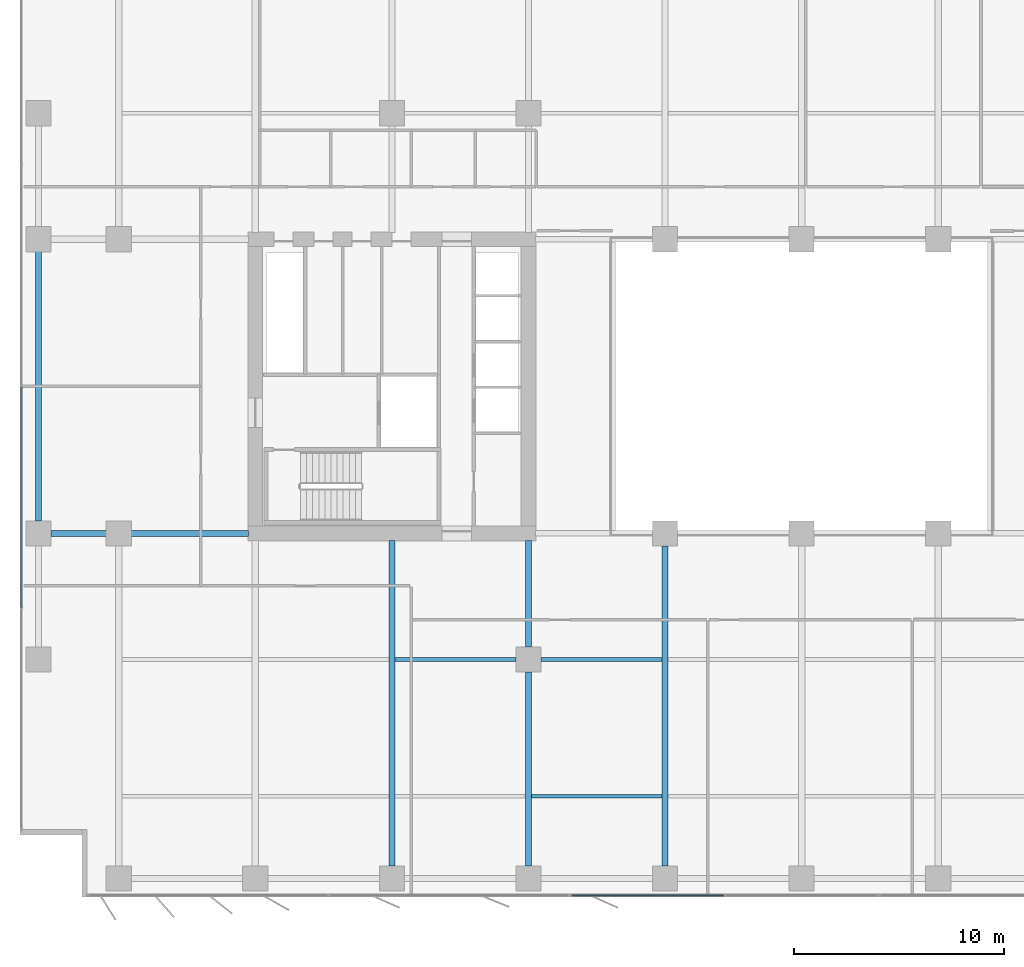
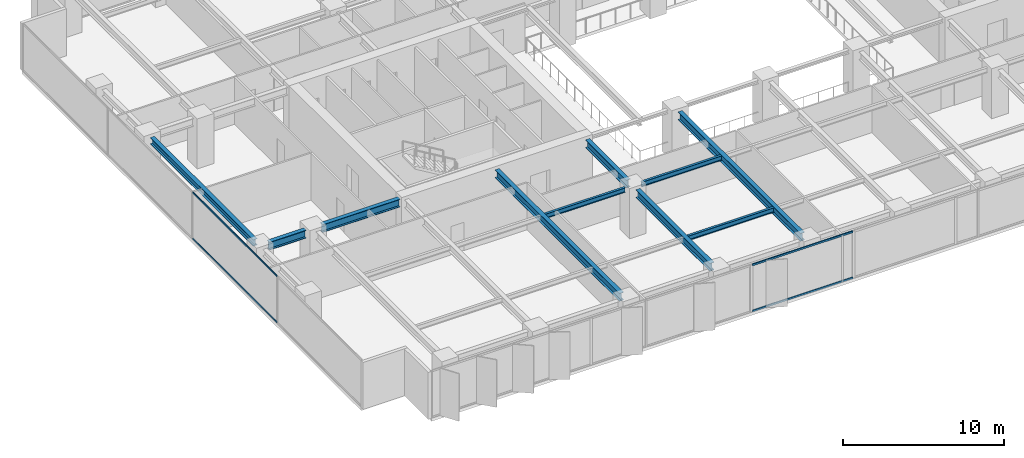
# One storey, part 3 of 20: 10 beams, 4 members, 2 elements without a shape of their own.
"""IFC4 building model written with IfcOpenShell, lengths in metres."""

from ifc_helpers import new_model, si_unit, direction, frame, origin, origin_2d, place, context, subcontext, project, spatial, rectangle, i_section, extrude, material, layer, layer_set, material_profile, profile_set, type_object, element, aggregate, save


model = new_model("IFC4")

# Units and contexts
model_context = context("Model", 3, precision=1e-05, world=origin(), true_north=direction((0.0, 1.0)))
body_context = subcontext(model_context, "Body", "Model", "MODEL_VIEW")
ifc_project = project(units=[si_unit("LENGTHUNIT", "METRE"), si_unit("AREAUNIT", "SQUARE_METRE"), si_unit("VOLUMEUNIT", "CUBIC_METRE"), si_unit("PLANEANGLEUNIT", "RADIAN"), si_unit("MASSUNIT", "GRAM", prefix="KILO")], contexts=[model_context])

# Site, building, storey
site_placement = place(None, origin())
site = spatial("IfcSite", under=ifc_project, at=site_placement, CompositionType="ELEMENT")
building_placement = place(site_placement, origin())
building = spatial("IfcBuilding", under=site, at=building_placement, Name="Putna Gate Headquarters", CompositionType="ELEMENT")
storey_placement = place(building_placement, frame((0.0, 0.0, 112.60009765625)))
storey = spatial("IfcBuildingStorey", under=building, at=storey_placement, Name="L27", CompositionType="ELEMENT", Elevation=112.60009765625)

# Beams
ifc_material_1 = material(Name="Steel S355J2", Category="steel")
ifc_material_profile_1 = material_profile(ifc_material_1, i_section(OverallWidth=0.300048828125, OverallDepth=0.60009765625, WebThickness=0.015380859375, FlangeThickness=0.030029296875, at=origin_2d()), Name="Steel S355J2")
ifc_profile_set_1 = profile_set([ifc_material_profile_1], Name="Steel S355J2")
beam_type_1 = type_object("IfcBeamType", Name="BM-GIRD-Z2-HEB600", PredefinedType="USERDEFINED", material=ifc_profile_set_1)
beam_1_placement = place(storey_placement, frame((3.26806640625, 19.0, 3.264892578125), z_axis=(1.0, 0.0, 0.0), x_axis=(0.0, 1.0, 0.0)))
element("IfcBeam", 1, at=beam_1_placement, inside=storey, type_object=beam_type_1, Name="L27 West Wing Girder Y19-1", ObjectType="GIRDER", PredefinedType="USERDEFINED", context=body_context, shape_type="SweptSolid", body=[
    extrude(i_section(OverallWidth=0.300048828125, OverallDepth=0.60009765625, WebThickness=0.015380859375, FlangeThickness=0.030029296875, at=origin_2d()), origin(), (0.0, 0.0, 1.0), 2.64404296875),
])
beam_2_placement = place(storey_placement, frame((7.087890625, 19.0, 3.264892578125), z_axis=(1.0, 0.0, 0.0), x_axis=(0.0, 1.0, 0.0)))
element("IfcBeam", 2, at=beam_2_placement, inside=storey, type_object=beam_type_1, Name="L27 West Wing Girder Y19-2", ObjectType="GIRDER", PredefinedType="USERDEFINED", context=body_context, shape_type="SweptSolid", body=[
    extrude(i_section(OverallWidth=0.300048828125, OverallDepth=0.60009765625, WebThickness=0.015380859375, FlangeThickness=0.030029296875, at=origin_2d()), origin(), (0.0, 0.0, 1.0), 5.5771484375),
])
beam_3_placement = place(storey_placement, frame((19.5, 3.16796875, 3.264892578125), z_axis=(0.0, 1.0, 0.0), x_axis=(-1.0, 0.0, 0.0)))
element("IfcBeam", 3, at=beam_3_placement, inside=storey, type_object=beam_type_1, Name="L27 South Primary Girder X19", ObjectType="GIRDER", PredefinedType="USERDEFINED", context=body_context, shape_type="SweptSolid", body=[
    extrude(i_section(OverallWidth=0.300048828125, OverallDepth=0.60009765625, WebThickness=0.015380859375, FlangeThickness=0.030029296875, at=origin_2d()), origin(), (0.0, 0.0, 1.0), 15.4970703125),
])
beam_4_placement = place(storey_placement, frame((26.0, 3.16796875, 3.264892578125), z_axis=(0.0, 1.0, 0.0), x_axis=(-1.0, 0.0, 0.0)))
element("IfcBeam", 4, at=beam_4_placement, inside=storey, type_object=beam_type_1, Name="L27 South Primary Girder X26-1", ObjectType="GIRDER", PredefinedType="USERDEFINED", context=body_context, shape_type="SweptSolid", body=[
    extrude(i_section(OverallWidth=0.300048828125, OverallDepth=0.60009765625, WebThickness=0.015380859375, FlangeThickness=0.030029296875, at=origin_2d()), origin(), (0.0, 0.0, 1.0), 9.244140625),
])
beam_5_placement = place(storey_placement, frame((26.0, 13.587890625, 3.264892578125), z_axis=(0.0, 1.0, 0.0), x_axis=(-1.0, 0.0, 0.0)))
element("IfcBeam", 5, at=beam_5_placement, inside=storey, type_object=beam_type_1, Name="L27 South Primary Girder X26-2", ObjectType="GIRDER", PredefinedType="USERDEFINED", context=body_context, shape_type="SweptSolid", body=[
    extrude(i_section(OverallWidth=0.300048828125, OverallDepth=0.60009765625, WebThickness=0.015380859375, FlangeThickness=0.030029296875, at=origin_2d()), origin(), (0.0, 0.0, 1.0), 5.0771484375),
])
beam_6_placement = place(storey_placement, frame((32.5, 3.16796875, 3.264892578125), z_axis=(0.0, 1.0, 0.0), x_axis=(-1.0, 0.0, 0.0)))
element("IfcBeam", 6, at=beam_6_placement, inside=storey, type_object=beam_type_1, Name="L27 South Primary Girder X32", ObjectType="GIRDER", PredefinedType="USERDEFINED", context=body_context, shape_type="SweptSolid", body=[
    extrude(i_section(OverallWidth=0.300048828125, OverallDepth=0.60009765625, WebThickness=0.015380859375, FlangeThickness=0.030029296875, at=origin_2d()), origin(), (0.0, 0.0, 1.0), 15.244140625),
])
ifc_material_profile_2 = material_profile(ifc_material_1, i_section(OverallWidth=0.169921875, OverallDepth=0.360107421875, WebThickness=0.008056640625, FlangeThickness=0.0126953125, at=origin_2d()), Name="Steel S355J2")
ifc_profile_set_2 = profile_set([ifc_material_profile_2], Name="Steel S355J2")
beam_type_2 = type_object("IfcBeamType", Name="BM-SEC-Z2-IPE360", PredefinedType="BEAM", material=ifc_profile_set_2)
beam_7_placement = place(storey_placement, frame((19.654052734375, 13.0, 3.385009765625), z_axis=(1.0, 0.0, 0.0), x_axis=(0.0, 1.0, 0.0)))
element("IfcBeam", 7, at=beam_7_placement, inside=storey, type_object=beam_type_2, Name="L27 South Secondary Beam 3", PredefinedType="BEAM", context=body_context, shape_type="SweptSolid", body=[
    extrude(i_section(OverallWidth=0.169921875, OverallDepth=0.360107421875, WebThickness=0.008056640625, FlangeThickness=0.0126953125, at=origin_2d()), origin(), (0.0, 0.0, 1.0), 5.758056640625),
])
beam_8_placement = place(storey_placement, frame((26.154052734375, 6.5, 3.385009765625), z_axis=(1.0, 0.0, 0.0), x_axis=(0.0, 1.0, 0.0)))
element("IfcBeam", 8, at=beam_8_placement, inside=storey, type_object=beam_type_2, Name="L27 South Secondary Beam 4", PredefinedType="BEAM", context=body_context, shape_type="SweptSolid", body=[
    extrude(i_section(OverallWidth=0.169921875, OverallDepth=0.360107421875, WebThickness=0.008056640625, FlangeThickness=0.0126953125, at=origin_2d()), origin(), (0.0, 0.0, 1.0), 6.19189453125),
])
beam_9_placement = place(storey_placement, frame((26.587890625, 13.0, 3.385009765625), z_axis=(1.0, 0.0, 0.0), x_axis=(0.0, 1.0, 0.0)))
element("IfcBeam", 9, at=beam_9_placement, inside=storey, type_object=beam_type_2, Name="L27 South Secondary Beam 4", PredefinedType="BEAM", context=body_context, shape_type="SweptSolid", body=[
    extrude(i_section(OverallWidth=0.169921875, OverallDepth=0.360107421875, WebThickness=0.008056640625, FlangeThickness=0.0126953125, at=origin_2d()), origin(), (0.0, 0.0, 1.0), 5.758056640625),
])
ifc_material_profile_3 = material_profile(ifc_material_1, i_section(OverallWidth=0.300048828125, OverallDepth=0.489990234375, WebThickness=0.011962890625, FlangeThickness=0.02294921875, at=origin_2d()), Name="Steel S355J2")
ifc_profile_set_3 = profile_set([ifc_material_profile_3], Name="Steel S355J2")
beam_type_3 = type_object("IfcBeamType", Name="BM-SPAN-Z2-HEA500", PredefinedType="SPANDREL", material=ifc_profile_set_3)
beam_10_placement = place(storey_placement, frame((2.679931640625, 19.587890625, 3.31982421875), z_axis=(0.0, 1.0, 0.0), x_axis=(-1.0, 0.0, 0.0)))
element("IfcBeam", 10, at=beam_10_placement, inside=storey, type_object=beam_type_3, Name="L27 W End Spandrel 2", PredefinedType="SPANDREL", context=body_context, shape_type="SweptSolid", body=[
    extrude(i_section(OverallWidth=0.300048828125, OverallDepth=0.489990234375, WebThickness=0.011962890625, FlangeThickness=0.02294921875, at=origin_2d()), origin(), (0.0, 0.0, 1.0), 12.82421875),
])

# Curtain wall, members
ifc_material_2 = material(Name="Anodised bronze aluminium curtain wall", Category="aluminium")
ifc_layer_1 = layer(ifc_material_2, 0.159912109375)
ifc_layer_set_1 = layer_set([ifc_layer_1], Name="Anodised bronze aluminium curtain wall")
curtain_wall_type_1 = type_object("IfcCurtainWallType", Name="CW-SYS-Z2", PredefinedType="USERDEFINED", material=ifc_layer_set_1)
curtain_wall_1_placement = place(storey_placement, origin())
curtain_wall_1 = element("IfcCurtainWall", 11, at=curtain_wall_1_placement, inside=storey, type_object=curtain_wall_type_1, Name="L27 West Curtain Wall", ObjectType="STICK CURTAIN WALL", PredefinedType="USERDEFINED")
ifc_material_3 = material(Name="Anodised bronze aluminium EN AW-6060", Category="aluminium")
ifc_material_profile_4 = material_profile(ifc_material_3, rectangle(XDim=0.06494140625, YDim=0.1201171875, at=origin_2d()), Name="Anodised bronze aluminium EN AW-6060")
ifc_profile_set_4 = profile_set([ifc_material_profile_4], Name="Anodised bronze aluminium EN AW-6060")
member_type_1 = type_object("IfcMemberType", Name="TRAN-CWT-2", PredefinedType="USERDEFINED", material=ifc_profile_set_4)
member_1_placement = place(storey_placement, frame((1.8798828125, 15.482421875, 0.032470703125), z_axis=(0.0, 1.0, 0.0), x_axis=(-1.0, 0.0, 0.0)))
member_1 = element("IfcMember", 12, at=member_1_placement, type_object=member_type_1, Name="CWS-2 transom 2.1", ObjectType="TRANSOM", PredefinedType="USERDEFINED", context=body_context, shape_type="SweptSolid", body=[
    extrude(rectangle(XDim=0.06494140625, YDim=0.1201171875, at=origin_2d()), origin(), (0.0, 0.0, 1.0), 10.485107421875),
])
member_2_placement = place(storey_placement, frame((1.8798828125, 15.482421875, 3.532470703125), z_axis=(0.0, 1.0, 0.0), x_axis=(-1.0, 0.0, 0.0)))
member_2 = element("IfcMember", 13, at=member_2_placement, type_object=member_type_1, Name="CWS-2 transom 2.2", ObjectType="TRANSOM", PredefinedType="USERDEFINED", context=body_context, shape_type="SweptSolid", body=[
    extrude(rectangle(XDim=0.06494140625, YDim=0.1201171875, at=origin_2d()), origin(), (0.0, 0.0, 1.0), 10.485107421875),
])
aggregate(curtain_wall_1, [member_1, member_2])

ifc_layer_2 = layer(ifc_material_2, 0.179931640625)
ifc_layer_set_2 = layer_set([ifc_layer_2], Name="Anodised bronze aluminium curtain wall")
curtain_wall_type_2 = type_object("IfcCurtainWallType", Name="CW-SYS-ATR", PredefinedType="USERDEFINED", material=ifc_layer_set_2)
curtain_wall_2_placement = place(storey_placement, origin())
curtain_wall_2 = element("IfcCurtainWall", 14, at=curtain_wall_2_placement, inside=storey, type_object=curtain_wall_type_2, Name="L27 South Atrium Clear Glazing", ObjectType="ATRIUM GLAZING", PredefinedType="USERDEFINED")
ifc_material_profile_5 = material_profile(ifc_material_3, rectangle(XDim=0.070068359375, YDim=0.139892578125, at=origin_2d()), Name="Anodised bronze aluminium EN AW-6060")
ifc_profile_set_5 = profile_set([ifc_material_profile_5], Name="Anodised bronze aluminium EN AW-6060")
member_type_2 = type_object("IfcMemberType", Name="TRAN-CWT-AT", PredefinedType="USERDEFINED", material=ifc_profile_set_5)
member_3_placement = place(storey_placement, frame((28.070068359375, 1.780029296875, 0.034912109375), z_axis=(1.0, 0.0, 0.0), x_axis=(0.0, 1.0, 0.0)))
member_3 = element("IfcMember", 15, at=member_3_placement, type_object=member_type_2, Name="CWS-AT transom 1.1", ObjectType="TRANSOM", PredefinedType="USERDEFINED", context=body_context, shape_type="SweptSolid", body=[
    extrude(rectangle(XDim=0.070068359375, YDim=0.139892578125, at=origin_2d()), origin(), (0.0, 0.0, 1.0), 7.228271484375),
])
member_4_placement = place(storey_placement, frame((28.070068359375, 1.780029296875, 3.52978515625), z_axis=(1.0, 0.0, 0.0), x_axis=(0.0, 1.0, 0.0)))
member_4 = element("IfcMember", 16, at=member_4_placement, type_object=member_type_2, Name="CWS-AT transom 1.2", ObjectType="TRANSOM", PredefinedType="USERDEFINED", context=body_context, shape_type="SweptSolid", body=[
    extrude(rectangle(XDim=0.070068359375, YDim=0.139892578125, at=origin_2d()), origin(), (0.0, 0.0, 1.0), 7.228271484375),
])
aggregate(curtain_wall_2, [member_3, member_4])

save(model, "model.ifc")
